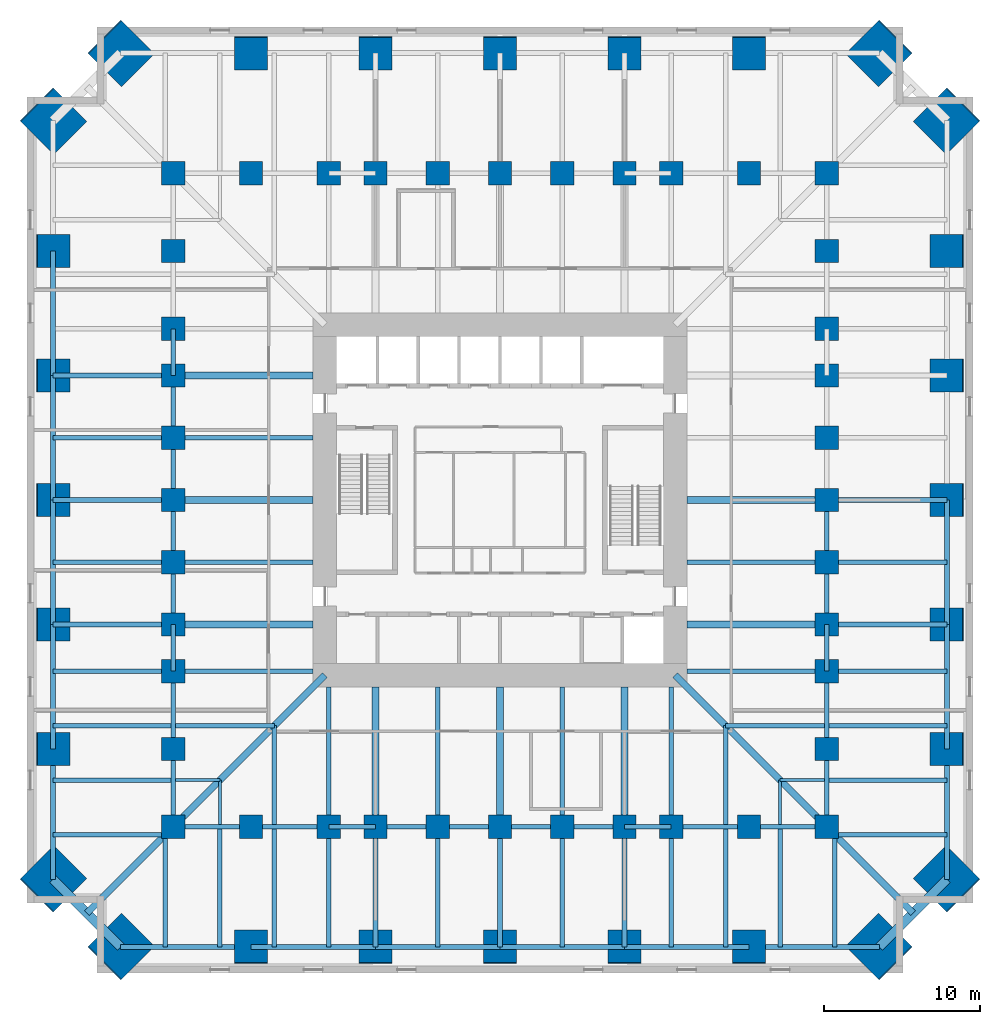
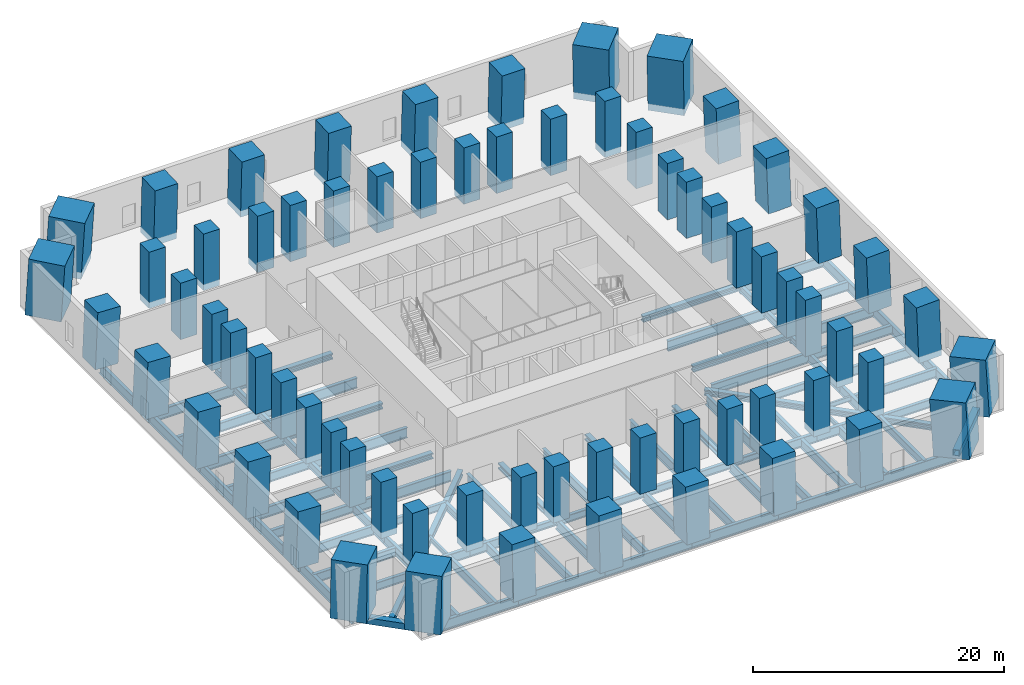
# One storey, part 1 of 8: 97 beams, 68 columns.
"""IFC4 building model written with IfcOpenShell, lengths in metres."""

import ifcopenshell
import ifcopenshell.guid

model = None  # the IFC model being written
_history = None  # IfcOwnerHistory: only IFC2X3 demands one
_inside = {}  # id of a spatial element -> (the spatial element, [elements in it])
_under = {}  # id of a project, library or spatial element -> (it, [spatial elements below it])
_declared = {}  # id of a project -> (the project, [libraries it declares])
_typed = {}  # id of a type object -> (the type object, [elements of that type])
_made_of = {}  # id of a material, layer set ... -> (it, [elements and type objects made of it])


def new_model(schema):
    """Start an empty IFC model of exactly this schema.

    Asked for "IFC4X3", IfcOpenShell would pick the latest addendum, in which some entities
    have other attributes; the version numbers below select the first issue.
    IFC2X3 requires an IfcOwnerHistory on every rooted entity: one is made here for all.
    """
    global model, _history
    if schema == "IFC4X3":
        model = ifcopenshell.file(schema_version=(4, 3, 0, 0))
    else:
        model = ifcopenshell.file(schema=schema)
    _inside.clear()
    _under.clear()
    _declared.clear()
    _typed.clear()
    _made_of.clear()
    _history = None
    if model.schema == "IFC2X3":
        org = make("IfcOrganization", Name="unknown")
        user = make(
            "IfcPersonAndOrganization",
            ThePerson=make("IfcPerson", FamilyName="unknown"),
            TheOrganization=org,
        )
        app = make(
            "IfcApplication",
            ApplicationDeveloper=org,
            Version="unknown",
            ApplicationFullName="unknown",
            ApplicationIdentifier="unknown",
        )
        _history = make(
            "IfcOwnerHistory",
            OwningUser=user,
            OwningApplication=app,
            ChangeAction="ADDED",
            CreationDate=0,
        )
    return model


def make(cls, **values):
    """One entity of the class cls with the attributes given. An attribute that is None is left unset."""
    return model.create_entity(
        cls, **{name: value for name, value in values.items() if value is not None}
    )


def rooted(cls, **values):
    """An entity with a GlobalId (a new one), such as an element, a storey or a relation."""
    return make(cls, GlobalId=ifcopenshell.guid.new(), OwnerHistory=_history, **values)


def si_unit(unit_type, name, prefix=None):
    """IfcSIUnit, for example si_unit("LENGTHUNIT", "METRE", prefix="MILLI")."""
    return make("IfcSIUnit", UnitType=unit_type, Prefix=prefix, Name=name)


def assignment(units):
    """IfcUnitAssignment: the units of a project."""
    return None if units is None else make("IfcUnitAssignment", Units=units)


def point(xyz):
    """IfcCartesianPoint."""
    return None if xyz is None else make("IfcCartesianPoint", Coordinates=xyz)


def direction(xyz):
    """IfcDirection."""
    return None if xyz is None else make("IfcDirection", DirectionRatios=xyz)


def frame(location, z_axis=None, x_axis=None):
    """IfcAxis2Placement3D, a coordinate frame: its origin and axes. An axis left out is left unset."""
    return make(
        "IfcAxis2Placement3D",
        Location=point(location),
        Axis=direction(z_axis),
        RefDirection=direction(x_axis),
    )


def frame_2d(location, x_axis=None):
    """IfcAxis2Placement2D, a coordinate frame in the plane: its origin and x axis."""
    return make(
        "IfcAxis2Placement2D", Location=point(location), RefDirection=direction(x_axis)
    )


def origin():
    """The frame at (0, 0, 0) with its axes left unset."""
    return frame((0.0, 0.0, 0.0))


def origin_2d():
    """The frame at (0, 0) in the plane with its x axis left unset."""
    return frame_2d((0.0, 0.0))


def place(relative_to, where):
    """IfcLocalPlacement: puts the frame where relative to a parent placement (None: the world)."""
    return make(
        "IfcLocalPlacement", PlacementRelTo=relative_to, RelativePlacement=where
    )


def context(
    kind, dimensions, precision=None, world=None, true_north=None, identifier=None
):
    """IfcGeometricRepresentationContext, for example the 3D "Model" context."""
    return make(
        "IfcGeometricRepresentationContext",
        ContextIdentifier=identifier,
        ContextType=kind,
        CoordinateSpaceDimension=dimensions,
        Precision=precision,
        WorldCoordinateSystem=world,
        TrueNorth=true_north,
    )


def subcontext(parent, identifier, kind, view, scale=None):
    """IfcGeometricRepresentationSubContext, for example "Body" below "Model"."""
    return make(
        "IfcGeometricRepresentationSubContext",
        ContextIdentifier=identifier,
        ContextType=kind,
        ParentContext=parent,
        TargetScale=scale,
        TargetView=view,
    )


def project(units=None, contexts=None):
    """IfcProject with its units and contexts."""
    return rooted(
        "IfcProject",
        Name="project",
        RepresentationContexts=contexts,
        UnitsInContext=assignment(units),
    )


def spatial(cls, under=None, at=None, **own):
    """A site, building, storey or space (cls), placed at a placement, below another one or the project."""
    s = rooted(cls, ObjectPlacement=at, **own)
    if under is not None:
        _under.setdefault(under.id(), (under, []))[1].append(s)
    return s


def profile(cls, at=None, kind="AREA", **sizes):
    """A parametric profile (cls). Its sizes go by their IFC names, for example OverallWidth=200.0."""
    return make(cls, ProfileType=kind, Position=at, **sizes)


def rectangle(**sizes):
    """IfcRectangleProfileDef."""
    return profile("IfcRectangleProfileDef", **sizes)


def hollow_rectangle(**sizes):
    """IfcRectangleHollowProfileDef."""
    return profile("IfcRectangleHollowProfileDef", **sizes)


def i_section(**sizes):
    """IfcIShapeProfileDef."""
    return profile("IfcIShapeProfileDef", **sizes)


def extrude(swept, where, along, depth):
    """IfcExtrudedAreaSolid: the profile swept, set in the frame where, extruded along a direction by depth."""
    return make(
        "IfcExtrudedAreaSolid",
        SweptArea=swept,
        Position=where,
        ExtrudedDirection=direction(along),
        Depth=depth,
    )


def shape(context_of_items, identifier, shape_type, items):
    """IfcShapeRepresentation: the items that make up one representation, for example the "Body"."""
    return make(
        "IfcShapeRepresentation",
        ContextOfItems=context_of_items,
        RepresentationIdentifier=identifier,
        RepresentationType=shape_type,
        Items=items,
    )


def material(Name=None, Category=None):
    """IfcMaterial."""
    return make("IfcMaterial", Name=Name, Category=Category)


def material_profile(
    of_material, cross_section, Name=None, Category=None, Priority=None
):
    """IfcMaterialProfile: a cross section and its material."""
    return make(
        "IfcMaterialProfile",
        Name=Name,
        Material=of_material,
        Profile=cross_section,
        Priority=Priority,
        Category=Category,
    )


def profile_set(profiles, Name=None, composite=None):
    """IfcMaterialProfileSet."""
    return make(
        "IfcMaterialProfileSet",
        Name=Name,
        MaterialProfiles=profiles,
        CompositeProfile=composite,
    )


def made_of(thing, what):
    """Note that an element or type object is made of a material, layer set ...; save() writes the relation."""
    if what is not None:
        _made_of.setdefault(what.id(), (what, []))[1].append(thing)
    return thing


def type_object(cls, material=None, **own):
    """A type object (cls), such as IfcWallType, which elements share."""
    return made_of(rooted(cls, **own), material)


def element(
    cls,
    number,
    at=None,
    inside=None,
    cuts=None,
    type_object=None,
    material=None,
    context=None,
    identifier="Body",
    shape_type=None,
    held_by="IfcProductDefinitionShape",
    body=None,
    shapes=None,
    **own,
):
    """One element of the class cls, such as IfcWall. Its Tag is "e" and its number.

    at: its placement. inside: the storey or other place that contains it. cuts: it is an
    opening in that element (IfcRelVoidsElement). A single representation is given by context,
    identifier, shape_type and body (its items); several are given by shapes. held_by: the class
    of the entity that holds the representations. save() writes the other relations.
    """
    e = rooted(cls, Tag="e%d" % number, ObjectPlacement=at, **own)
    if body is not None:
        shapes = [shape(context, identifier, shape_type, body)]
    if shapes is not None:
        e.Representation = make(held_by, Representations=shapes)
    if inside is not None:
        _inside.setdefault(inside.id(), (inside, []))[1].append(e)
    if cuts is not None:
        rooted(
            "IfcRelVoidsElement", RelatingBuildingElement=cuts, RelatedOpeningElement=e
        )
    if type_object is not None:
        _typed.setdefault(type_object.id(), (type_object, []))[1].append(e)
    return made_of(e, material)


def aggregate(whole, parts):
    """IfcRelAggregates: a whole, such as a stair, and the parts it consists of."""
    return rooted("IfcRelAggregates", RelatingObject=whole, RelatedObjects=parts)


def save(model, path):
    """Write the relations noted so far, then the file.

    IfcRelAggregates (storeys below a building ...), IfcRelContainedInSpatialStructure (elements
    in a storey), IfcRelDefinesByType, IfcRelAssociatesMaterial and IfcRelDeclares: one each for
    every whole, place, type object, material and project.
    """
    for whole, parts in _under.values():
        aggregate(whole, parts)
    for where, things in _inside.values():
        rooted(
            "IfcRelContainedInSpatialStructure",
            RelatedElements=things,
            RelatingStructure=where,
        )
    for kind, things in _typed.values():
        rooted("IfcRelDefinesByType", RelatedObjects=things, RelatingType=kind)
    for what, things in _made_of.values():
        rooted("IfcRelAssociatesMaterial", RelatedObjects=things, RelatingMaterial=what)
    for by, libraries in _declared.values():
        rooted("IfcRelDeclares", RelatingContext=by, RelatedDefinitions=libraries)
    model.write(path)


model = new_model("IFC4")

# Units and contexts
model_context = context("Model", 3, precision=1e-05, world=origin(), true_north=direction((0.0, 1.0)))
body_context = subcontext(model_context, "Body", "Model", "MODEL_VIEW")
ifc_project = project(units=[si_unit("LENGTHUNIT", "METRE"), si_unit("AREAUNIT", "SQUARE_METRE"), si_unit("VOLUMEUNIT", "CUBIC_METRE"), si_unit("PLANEANGLEUNIT", "RADIAN"), si_unit("MASSUNIT", "GRAM", prefix="KILO")], contexts=[model_context])

# Site, building, storey
site_placement = place(None, origin())
site = spatial("IfcSite", under=ifc_project, at=site_placement, CompositionType="ELEMENT")
building_placement = place(site_placement, origin())
building = spatial("IfcBuilding", under=site, at=building_placement, Name="Peilmerk Tower", CompositionType="ELEMENT")
storey_placement = place(building_placement, frame((0.0, 0.0, 54.0)))
storey = spatial("IfcBuildingStorey", under=building, at=storey_placement, Name="L10", CompositionType="ELEMENT", Elevation=54.0)

# Columns
ifc_material_1 = material(Name="Concrete C90/105", Category="concrete")
ifc_material_profile_1 = material_profile(ifc_material_1, rectangle(XDim=3.0, YDim=3.0, at=origin_2d()), Name="RC 3000x3000")
ifc_profile_set_1 = profile_set([ifc_material_profile_1], Name="Concrete C90/105")
column_type_1 = type_object("IfcColumnType", Name="MC1 3000x3000 encased mega column", PredefinedType="COLUMN", material=ifc_profile_set_1)
for number, where, z_axis, x_axis, name in (
    (1, (24.369384765625, 28.71923828125, 0.0), (-0.040284325109, -0.04024000792, 0.998377641433), (0.706717512472, -0.707495835723, 0.0), "Mega column MC1 NE_N L10"),
    (2, (28.71923828125, 24.369384765625, 0.0), (-0.04024000792, -0.040284325109, 0.998377641433), (0.707495835723, -0.706717512472, 0.0), "Mega column MC1 NE_E L10"),
    (3, (28.71923828125, -24.369384765625, 0.0), (-0.04024000792, 0.040284325109, 0.998377641433), (-0.707495835723, -0.706717512472, 0.0), "Mega column MC1 SE_E L10"),
    (4, (24.369384765625, -28.71923828125, 0.0), (-0.040284325109, 0.04024000792, 0.998377641433), (-0.706717512472, -0.707495835723, 0.0), "Mega column MC1 SE_S L10"),
    (5, (-24.369384765625, -28.71923828125, 0.0), (0.040284325109, 0.04024000792, 0.998377641433), (-0.706717512472, 0.707495835723, 0.0), "Mega column MC1 SW_S L10"),
    (6, (-28.71923828125, -24.369384765625, 0.0), (0.04024000792, 0.040284325109, 0.998377641433), (-0.707495835723, 0.706717512472, 0.0), "Mega column MC1 SW_W L10"),
    (7, (-28.71923828125, 24.369384765625, 0.0), (0.04024000792, -0.040284325109, 0.998377641433), (0.707495835723, 0.706717512472, 0.0), "Mega column MC1 NW_W L10"),
    (8, (-24.369384765625, 28.71923828125, 0.0), (0.040284325109, -0.04024000792, 0.998377641433), (0.706717512472, 0.707495835723, 0.0), "Mega column MC1 NW_N L10"),
):
    element("IfcColumn", number, at=place(storey_placement, frame(where, z_axis=z_axis, x_axis=x_axis)), inside=storey, type_object=column_type_1, Name=name, PredefinedType="COLUMN", context=body_context, shape_type="SweptSolid", body=[
        extrude(rectangle(XDim=3.0, YDim=3.0, at=origin_2d()), origin(), (0.0, 0.0, 1.0), 5.509033203125),
    ])
ifc_material_profile_2 = material_profile(ifc_material_1, rectangle(XDim=2.10009765625, YDim=2.10009765625, at=origin_2d()), Name="RC 2100x2100")
ifc_profile_set_2 = profile_set([ifc_material_profile_2], Name="Concrete C90/105")
column_type_2 = type_object("IfcColumnType", Name="SC3 2100x2100 encased perimeter column", PredefinedType="COLUMN", material=ifc_profile_set_2)
for number, where, z_axis, x_axis, name in (
    (9, (0.0, 28.71923828125, 0.0), (0.0, -0.040272698997, 0.999188725775), (1.0, 0.0, 0.0), "Perimeter column N+0 L10"),
    (10, (8.0, 28.71923828125, 0.0), (0.0, -0.040272698997, 0.999188725775), (1.0, 0.0, 0.0), "Perimeter column N-8 L10"),
    (11, (-8.0, 28.71923828125, 0.0), (0.0, -0.040272698997, 0.999188725775), (1.0, 0.0, 0.0), "Perimeter column N+8 L10"),
    (12, (16.0, 28.71923828125, 0.0), (0.0, -0.040272698997, 0.999188725775), (1.0, 0.0, 0.0), "Perimeter column N-16 L10"),
    (13, (-16.0, 28.71923828125, 0.0), (0.0, -0.040272698997, 0.999188725775), (1.0, 0.0, 0.0), "Perimeter column N+16 L10"),
    (14, (28.71923828125, 0.0, 0.0), (-0.040272698997, 0.0, 0.999188725775), (0.0, -1.0, 0.0), "Perimeter column E+0 L10"),
    (15, (28.71923828125, -8.0, 0.0), (-0.040272698997, 0.0, 0.999188725775), (0.0, -1.0, 0.0), "Perimeter column E-8 L10"),
    (16, (28.71923828125, 8.0, 0.0), (-0.040272698997, 0.0, 0.999188725775), (0.0, -1.0, 0.0), "Perimeter column E+8 L10"),
    (17, (28.71923828125, -16.0, 0.0), (-0.040272698997, 0.0, 0.999188725775), (0.0, -1.0, 0.0), "Perimeter column E-16 L10"),
    (18, (28.71923828125, 16.0, 0.0), (-0.040272698997, 0.0, 0.999188725775), (0.0, -1.0, 0.0), "Perimeter column E+16 L10"),
    (19, (0.0, -28.71923828125, 0.0), (0.0, 0.040272698997, 0.999188725775), (-1.0, 0.0, 0.0), "Perimeter column S+0 L10"),
    (20, (-8.0, -28.71923828125, 0.0), (0.0, 0.040272698997, 0.999188725775), (-1.0, 0.0, 0.0), "Perimeter column S-8 L10"),
    (21, (8.0, -28.71923828125, 0.0), (0.0, 0.040272698997, 0.999188725775), (-1.0, 0.0, 0.0), "Perimeter column S+8 L10"),
    (22, (-16.0, -28.71923828125, 0.0), (0.0, 0.040272698997, 0.999188725775), (-1.0, 0.0, 0.0), "Perimeter column S-16 L10"),
    (23, (16.0, -28.71923828125, 0.0), (0.0, 0.040272698997, 0.999188725775), (-1.0, 0.0, 0.0), "Perimeter column S+16 L10"),
    (24, (-28.71923828125, 0.0, 0.0), (0.040272698997, 0.0, 0.999188725775), (0.0, 1.0, 0.0), "Perimeter column W+0 L10"),
    (25, (-28.71923828125, 8.0, 0.0), (0.040272698997, 0.0, 0.999188725775), (0.0, 1.0, 0.0), "Perimeter column W-8 L10"),
    (26, (-28.71923828125, -8.0, 0.0), (0.040272698997, 0.0, 0.999188725775), (0.0, 1.0, 0.0), "Perimeter column W+8 L10"),
    (27, (-28.71923828125, 16.0, 0.0), (0.040272698997, 0.0, 0.999188725775), (0.0, 1.0, 0.0), "Perimeter column W-16 L10"),
    (28, (-28.71923828125, -16.0, 0.0), (0.040272698997, 0.0, 0.999188725775), (0.0, 1.0, 0.0), "Perimeter column W+16 L10"),
):
    element("IfcColumn", number, at=place(storey_placement, frame(where, z_axis=z_axis, x_axis=x_axis)), inside=storey, type_object=column_type_2, Name=name, PredefinedType="COLUMN", context=body_context, shape_type="SweptSolid", body=[
        extrude(rectangle(XDim=2.10009765625, YDim=2.10009765625, at=origin_2d()), origin(), (0.0, 0.0, 1.0), 5.50439453125),
    ])
ifc_material_profile_3 = material_profile(ifc_material_1, rectangle(XDim=1.5, YDim=1.5, at=origin_2d()), Name="RC 1500x1500")
ifc_profile_set_3 = profile_set([ifc_material_profile_3], Name="Concrete C90/105")
column_type_3 = type_object("IfcColumnType", Name="SC4 1500x1500 encased interior column", PredefinedType="COLUMN", material=ifc_profile_set_3)
for number, where, z_axis, x_axis, name in (
    (29, (0.0, 21.0, 0.0), (0.0, 0.0, 1.0), (1.0, 0.0, 0.0), "Interior column N+0 L10"),
    (30, (4.0, 21.0, 0.0), (0.0, 0.0, 1.0), (1.0, 0.0, 0.0), "Interior column N-4 L10"),
    (31, (-4.0, 21.0, 0.0), (0.0, 0.0, 1.0), (1.0, 0.0, 0.0), "Interior column N+4 L10"),
    (32, (8.0, 21.0, 0.0), (0.0, 0.0, 1.0), (1.0, 0.0, 0.0), "Interior column N-8 L10"),
    (33, (-8.0, 21.0, 0.0), (0.0, 0.0, 1.0), (1.0, 0.0, 0.0), "Interior column N+8 L10"),
    (34, (11.0, 21.0, 0.0), (0.0, 0.0, 1.0), (1.0, 0.0, 0.0), "Interior column N-11 L10"),
    (35, (-11.0, 21.0, 0.0), (0.0, 0.0, 1.0), (1.0, 0.0, 0.0), "Interior column N+11 L10"),
    (36, (16.0, 21.0, 0.0), (0.0, 0.0, 1.0), (1.0, 0.0, 0.0), "Interior column N-16 L10"),
    (37, (-16.0, 21.0, 0.0), (0.0, 0.0, 1.0), (1.0, 0.0, 0.0), "Interior column N+16 L10"),
    (38, (21.0, 0.0, 0.0), (0.0, 0.0, 1.0), (1.0, 0.0, 0.0), "Interior column E+0 L10"),
    (39, (21.0, -4.0, 0.0), (0.0, 0.0, 1.0), (1.0, 0.0, 0.0), "Interior column E-4 L10"),
    (40, (21.0, 4.0, 0.0), (0.0, 0.0, 1.0), (1.0, 0.0, 0.0), "Interior column E+4 L10"),
    (41, (21.0, -8.0, 0.0), (0.0, 0.0, 1.0), (1.0, 0.0, 0.0), "Interior column E-8 L10"),
    (42, (21.0, 8.0, 0.0), (0.0, 0.0, 1.0), (1.0, 0.0, 0.0), "Interior column E+8 L10"),
    (43, (21.0, -11.0, 0.0), (0.0, 0.0, 1.0), (1.0, 0.0, 0.0), "Interior column E-11 L10"),
    (44, (21.0, 11.0, 0.0), (0.0, 0.0, 1.0), (1.0, 0.0, 0.0), "Interior column E+11 L10"),
    (45, (21.0, -16.0, 0.0), (0.0, 0.0, 1.0), (1.0, 0.0, 0.0), "Interior column E-16 L10"),
    (46, (21.0, 16.0, 0.0), (0.0, 0.0, 1.0), (1.0, 0.0, 0.0), "Interior column E+16 L10"),
    (47, (0.0, -21.0, 0.0), (0.0, 0.0, 1.0), (1.0, 0.0, 0.0), "Interior column S+0 L10"),
    (48, (-4.0, -21.0, 0.0), (0.0, 0.0, 1.0), (1.0, 0.0, 0.0), "Interior column S-4 L10"),
    (49, (4.0, -21.0, 0.0), (0.0, 0.0, 1.0), (1.0, 0.0, 0.0), "Interior column S+4 L10"),
    (50, (-8.0, -21.0, 0.0), (0.0, 0.0, 1.0), (1.0, 0.0, 0.0), "Interior column S-8 L10"),
    (51, (8.0, -21.0, 0.0), (0.0, 0.0, 1.0), (1.0, 0.0, 0.0), "Interior column S+8 L10"),
    (52, (-11.0, -21.0, 0.0), (0.0, 0.0, 1.0), (1.0, 0.0, 0.0), "Interior column S-11 L10"),
    (53, (11.0, -21.0, 0.0), (0.0, 0.0, 1.0), (1.0, 0.0, 0.0), "Interior column S+11 L10"),
    (54, (-16.0, -21.0, 0.0), (0.0, 0.0, 1.0), (1.0, 0.0, 0.0), "Interior column S-16 L10"),
    (55, (16.0, -21.0, 0.0), (0.0, 0.0, 1.0), (1.0, 0.0, 0.0), "Interior column S+16 L10"),
    (56, (-21.0, 0.0, 0.0), (0.0, 0.0, 1.0), (1.0, 0.0, 0.0), "Interior column W+0 L10"),
    (57, (-21.0, 4.0, 0.0), (0.0, 0.0, 1.0), (1.0, 0.0, 0.0), "Interior column W-4 L10"),
    (58, (-21.0, -4.0, 0.0), (0.0, 0.0, 1.0), (1.0, 0.0, 0.0), "Interior column W+4 L10"),
    (59, (-21.0, 8.0, 0.0), (0.0, 0.0, 1.0), (1.0, 0.0, 0.0), "Interior column W-8 L10"),
    (60, (-21.0, -8.0, 0.0), (0.0, 0.0, 1.0), (1.0, 0.0, 0.0), "Interior column W+8 L10"),
    (61, (-21.0, 11.0, 0.0), (0.0, 0.0, 1.0), (1.0, 0.0, 0.0), "Interior column W-11 L10"),
    (62, (-21.0, -11.0, 0.0), (0.0, 0.0, 1.0), (1.0, 0.0, 0.0), "Interior column W+11 L10"),
    (63, (-21.0, 16.0, 0.0), (0.0, 0.0, 1.0), (1.0, 0.0, 0.0), "Interior column W-16 L10"),
    (64, (-21.0, -16.0, 0.0), (0.0, 0.0, 1.0), (1.0, 0.0, 0.0), "Interior column W+16 L10"),
    (65, (21.0, 21.0, 0.0), (0.0, 0.0, 1.0), (1.0, 0.0, 0.0), "Interior column NE L10"),
    (66, (21.0, -21.0, 0.0), (0.0, 0.0, 1.0), (1.0, 0.0, 0.0), "Interior column SE L10"),
    (67, (-21.0, -21.0, 0.0), (0.0, 0.0, 1.0), (1.0, 0.0, 0.0), "Interior column SW L10"),
    (68, (-21.0, 21.0, 0.0), (0.0, 0.0, 1.0), (1.0, 0.0, 0.0), "Interior column NW L10"),
):
    element("IfcColumn", number, at=place(storey_placement, frame(where, z_axis=z_axis, x_axis=x_axis)), inside=storey, type_object=column_type_3, Name=name, PredefinedType="COLUMN", context=body_context, shape_type="SweptSolid", body=[
        extrude(rectangle(XDim=1.5, YDim=1.5, at=origin_2d()), origin(), (0.0, 0.0, 1.0), 5.5),
    ])

# Beams
ifc_material_2 = material(Name="Steel S355", Category="steel")
ifc_material_profile_4 = material_profile(ifc_material_2, i_section(OverallWidth=0.302001953125, OverallDepth=1.008056640625, WebThickness=0.02099609375, FlangeThickness=0.0400390625, at=origin_2d()), Name="HEM 1000")
ifc_profile_set_4 = profile_set([ifc_material_profile_4], Name="Steel S355")
beam_type_1 = type_object("IfcBeamType", Name="B1 HEM 1000 edge beam", PredefinedType="SPANDREL", material=ifc_profile_set_4)
for number, where, z_axis, x_axis, name in (
    (69, (28.71923828125, -24.369384765625, -0.7041015625), (0.0, 1.0, 0.0), (-1.0, 0.0, 0.0), "Edge beam L10"),
    (70, (-24.369384765625, -28.71923828125, -0.7041015625), (1.0, 0.0, 0.0), (0.0, 1.0, 0.0), "Edge beam L10"),
    (71, (16.0, -28.71923828125, -0.7041015625), (1.0, 0.0, 0.0), (0.0, 1.0, 0.0), "Edge beam L10"),
    (72, (-28.71923828125, -16.0, -0.7041015625), (0.0, -1.0, 0.0), (1.0, 0.0, 0.0), "Edge beam L10"),
):
    element("IfcBeam", number, at=place(storey_placement, frame(where, z_axis=z_axis, x_axis=x_axis)), inside=storey, type_object=beam_type_1, Name=name, PredefinedType="SPANDREL", context=body_context, shape_type="SweptSolid", body=[
        extrude(i_section(OverallWidth=0.302001953125, OverallDepth=1.008056640625, WebThickness=0.02099609375, FlangeThickness=0.0400390625, at=origin_2d()), origin(), (0.0, 0.0, 1.0), 8.369384765625),
    ])
ifc_material_profile_5 = material_profile(ifc_material_2, i_section(OverallWidth=0.300048828125, OverallDepth=1.0, WebThickness=0.01904296875, FlangeThickness=0.035888671875, at=origin_2d()), Name="HEB 1000")
ifc_profile_set_5 = profile_set([ifc_material_profile_5], Name="Steel S355")
beam_type_2 = type_object("IfcBeamType", Name="B13 HEB 1000 edge beam", PredefinedType="SPANDREL", material=ifc_profile_set_5)
for number, where, z_axis, x_axis, name in (
    (73, (28.71923828125, -16.0, -0.699951171875), (0.0, 1.0, 0.0), (-1.0, 0.0, 0.0), "Edge beam L10"),
    (74, (28.71923828125, -8.0, -0.699951171875), (0.0, 1.0, 0.0), (-1.0, 0.0, 0.0), "Edge beam L10"),
    (75, (-16.0, -28.71923828125, -0.699951171875), (1.0, 0.0, 0.0), (0.0, 1.0, 0.0), "Edge beam L10"),
    (76, (-8.0, -28.71923828125, -0.699951171875), (1.0, 0.0, 0.0), (0.0, 1.0, 0.0), "Edge beam L10"),
    (77, (0.0, -28.71923828125, -0.699951171875), (1.0, 0.0, 0.0), (0.0, 1.0, 0.0), "Edge beam L10"),
    (78, (8.0, -28.71923828125, -0.699951171875), (1.0, 0.0, 0.0), (0.0, 1.0, 0.0), "Edge beam L10"),
    (79, (-28.71923828125, 16.0, -0.699951171875), (0.0, -1.0, 0.0), (1.0, 0.0, 0.0), "Edge beam L10"),
    (80, (-28.71923828125, 8.0, -0.699951171875), (0.0, -1.0, 0.0), (1.0, 0.0, 0.0), "Edge beam L10"),
    (81, (-28.71923828125, 0.0, -0.699951171875), (0.0, -1.0, 0.0), (1.0, 0.0, 0.0), "Edge beam L10"),
    (82, (-28.71923828125, -8.0, -0.699951171875), (0.0, -1.0, 0.0), (1.0, 0.0, 0.0), "Edge beam L10"),
):
    element("IfcBeam", number, at=place(storey_placement, frame(where, z_axis=z_axis, x_axis=x_axis)), inside=storey, type_object=beam_type_2, Name=name, PredefinedType="SPANDREL", context=body_context, shape_type="SweptSolid", body=[
        extrude(i_section(OverallWidth=0.300048828125, OverallDepth=1.0, WebThickness=0.01904296875, FlangeThickness=0.035888671875, at=origin_2d()), origin(), (0.0, 0.0, 1.0), 8.0),
    ])
ifc_material_profile_6 = material_profile(ifc_material_2, i_section(OverallWidth=0.300048828125, OverallDepth=0.68994140625, WebThickness=0.014404296875, FlangeThickness=0.027099609375, at=origin_2d()), Name="HEA 700")
ifc_profile_set_6 = profile_set([ifc_material_profile_6], Name="Steel S355")
beam_type_3 = type_object("IfcBeamType", Name="B16 HEA 700 floor beam", PredefinedType="BEAM", material=ifc_profile_set_6)
for number, where, z_axis, x_axis, name in (
    (83, (14.5, -14.5, -0.544921875), (0.0, -1.0, 0.0), (1.0, 0.0, 0.0), "Floor beam L10"),
    (84, (14.5, -14.5, -0.544921875), (1.0, 0.0, 0.0), (0.0, 1.0, 0.0), "Floor beam L10"),
    (85, (-14.5, -14.5, -0.544921875), (0.0, -1.0, 0.0), (1.0, 0.0, 0.0), "Floor beam L10"),
    (86, (-14.5, -14.5, -0.544921875), (-1.0, 0.0, 0.0), (0.0, -1.0, 0.0), "Floor beam L10"),
):
    element("IfcBeam", number, at=place(storey_placement, frame(where, z_axis=z_axis, x_axis=x_axis)), inside=storey, type_object=beam_type_3, Name=name, PredefinedType="BEAM", context=body_context, shape_type="SweptSolid", body=[
        extrude(i_section(OverallWidth=0.300048828125, OverallDepth=0.68994140625, WebThickness=0.014404296875, FlangeThickness=0.027099609375, at=origin_2d()), origin(), (0.0, 0.0, 1.0), 6.34912109375),
    ])
ifc_material_profile_7 = material_profile(ifc_material_2, i_section(OverallWidth=0.302001953125, OverallDepth=0.909912109375, WebThickness=0.02099609375, FlangeThickness=0.0400390625, at=origin_2d()), Name="HEM 900")
ifc_profile_set_7 = profile_set([ifc_material_profile_7], Name="Steel S355")
beam_type_4 = type_object("IfcBeamType", Name="B18 HEM 900 ring girder", PredefinedType="BEAM", material=ifc_profile_set_7)
for number, where, z_axis, x_axis, name in (
    (87, (21.0, -21.0, -0.655029296875), (0.0, 1.0, 0.0), (-1.0, 0.0, 0.0), "Ring girder L10"),
    (88, (21.0, -16.0, -0.655029296875), (0.0, 1.0, 0.0), (-1.0, 0.0, 0.0), "Ring girder L10"),
    (89, (-21.0, -21.0, -0.655029296875), (1.0, 0.0, 0.0), (0.0, 1.0, 0.0), "Ring girder L10"),
    (90, (-16.0, -21.0, -0.655029296875), (1.0, 0.0, 0.0), (0.0, 1.0, 0.0), "Ring girder L10"),
    (91, (11.0, -21.0, -0.655029296875), (1.0, 0.0, 0.0), (0.0, 1.0, 0.0), "Ring girder L10"),
    (92, (16.0, -21.0, -0.655029296875), (1.0, 0.0, 0.0), (0.0, 1.0, 0.0), "Ring girder L10"),
    (93, (-21.0, -11.0, -0.655029296875), (0.0, -1.0, 0.0), (1.0, 0.0, 0.0), "Ring girder L10"),
    (94, (-21.0, -16.0, -0.655029296875), (0.0, -1.0, 0.0), (1.0, 0.0, 0.0), "Ring girder L10"),
):
    element("IfcBeam", number, at=place(storey_placement, frame(where, z_axis=z_axis, x_axis=x_axis)), inside=storey, type_object=beam_type_4, Name=name, PredefinedType="BEAM", context=body_context, shape_type="SweptSolid", body=[
        extrude(i_section(OverallWidth=0.302001953125, OverallDepth=0.909912109375, WebThickness=0.02099609375, FlangeThickness=0.0400390625, at=origin_2d()), origin(), (0.0, 0.0, 1.0), 5.0),
    ])
ifc_material_profile_8 = material_profile(ifc_material_2, i_section(OverallWidth=0.303955078125, OverallDepth=0.716064453125, WebThickness=0.02099609375, FlangeThickness=0.0400390625, at=origin_2d()), Name="HEM 700")
ifc_profile_set_8 = profile_set([ifc_material_profile_8], Name="Steel S355")
beam_type_5 = type_object("IfcBeamType", Name="B19 HEM 700 ring girder", PredefinedType="BEAM", material=ifc_profile_set_8)
for number, where, z_axis, x_axis, name in (
    (95, (21.0, -8.0, -0.55810546875), (0.0, 1.0, 0.0), (-1.0, 0.0, 0.0), "Ring girder L10"),
    (96, (21.0, -4.0, -0.55810546875), (0.0, 1.0, 0.0), (-1.0, 0.0, 0.0), "Ring girder L10"),
    (97, (-8.0, -21.0, -0.55810546875), (1.0, 0.0, 0.0), (0.0, 1.0, 0.0), "Ring girder L10"),
    (98, (-4.0, -21.0, -0.55810546875), (1.0, 0.0, 0.0), (0.0, 1.0, 0.0), "Ring girder L10"),
    (99, (0.0, -21.0, -0.55810546875), (1.0, 0.0, 0.0), (0.0, 1.0, 0.0), "Ring girder L10"),
    (100, (4.0, -21.0, -0.55810546875), (1.0, 0.0, 0.0), (0.0, 1.0, 0.0), "Ring girder L10"),
    (101, (-21.0, 8.0, -0.55810546875), (0.0, -1.0, 0.0), (1.0, 0.0, 0.0), "Ring girder L10"),
    (102, (-21.0, 4.0, -0.55810546875), (0.0, -1.0, 0.0), (1.0, 0.0, 0.0), "Ring girder L10"),
    (103, (-21.0, 0.0, -0.55810546875), (0.0, -1.0, 0.0), (1.0, 0.0, 0.0), "Ring girder L10"),
    (104, (-21.0, -4.0, -0.55810546875), (0.0, -1.0, 0.0), (1.0, 0.0, 0.0), "Ring girder L10"),
):
    element("IfcBeam", number, at=place(storey_placement, frame(where, z_axis=z_axis, x_axis=x_axis)), inside=storey, type_object=beam_type_5, Name=name, PredefinedType="BEAM", context=body_context, shape_type="SweptSolid", body=[
        extrude(i_section(OverallWidth=0.303955078125, OverallDepth=0.716064453125, WebThickness=0.02099609375, FlangeThickness=0.0400390625, at=origin_2d()), origin(), (0.0, 0.0, 1.0), 4.0),
    ])
ifc_material_3 = material(Name="Steel S460", Category="steel")
ifc_material_profile_9 = material_profile(ifc_material_3, hollow_rectangle(XDim=0.60009765625, YDim=0.60009765625, WallThickness=0.06005859375, at=origin_2d()), Name="BOX 600x600x60")
ifc_profile_set_9 = profile_set([ifc_material_profile_9], Name="Steel S460")
beam_type_6 = type_object("IfcBeamType", Name="B20 BOX 600x600x60 notch beam", PredefinedType="SPANDREL", material=ifc_profile_set_9)
for number, where, z_axis, x_axis, name in (
    (105, (28.71923828125, -24.369384765625, -0.5), (-0.707106781187, -0.707106781187, 0.0), (0.707106781187, -0.707106781187, 0.0), "Notch beam L10"),
    (106, (-24.369384765625, -28.71923828125, -0.5), (-0.707106781187, 0.707106781187, 0.0), (-0.707106781187, -0.707106781187, 0.0), "Notch beam L10"),
):
    element("IfcBeam", number, at=place(storey_placement, frame(where, z_axis=z_axis, x_axis=x_axis)), inside=storey, type_object=beam_type_6, Name=name, PredefinedType="SPANDREL", context=body_context, shape_type="SweptSolid", body=[
        extrude(hollow_rectangle(XDim=0.60009765625, YDim=0.60009765625, WallThickness=0.06005859375, at=origin_2d()), origin(), (0.0, 0.0, 1.0), 6.151611328125),
    ])
ifc_material_profile_10 = material_profile(ifc_material_2, i_section(OverallWidth=0.18994140625, OverallDepth=0.449951171875, WebThickness=0.009521484375, FlangeThickness=0.0146484375, at=origin_2d()), Name="IPE 450")
ifc_profile_set_10 = profile_set([ifc_material_profile_10], Name="Steel S355")
beam_type_7 = type_object("IfcBeamType", Name="B21 IPE 450 floor beam", PredefinedType="BEAM", material=ifc_profile_set_10)
for number, where, z_axis, x_axis, name in (
    (107, (18.0, -18.0, -0.425048828125), (0.0, -1.0, 0.0), (1.0, 0.0, 0.0), "Floor beam L10"),
    (108, (18.0, -18.0, -0.425048828125), (1.0, 0.0, 0.0), (0.0, 1.0, 0.0), "Floor beam L10"),
    (109, (-18.0, -18.0, -0.425048828125), (0.0, -1.0, 0.0), (1.0, 0.0, 0.0), "Floor beam L10"),
    (110, (-18.0, -18.0, -0.425048828125), (-1.0, 0.0, 0.0), (0.0, -1.0, 0.0), "Floor beam L10"),
):
    element("IfcBeam", number, at=place(storey_placement, frame(where, z_axis=z_axis, x_axis=x_axis)), inside=storey, type_object=beam_type_7, Name=name, PredefinedType="BEAM", context=body_context, shape_type="SweptSolid", body=[
        extrude(i_section(OverallWidth=0.18994140625, OverallDepth=0.449951171875, WebThickness=0.009521484375, FlangeThickness=0.0146484375, at=origin_2d()), origin(), (0.0, 0.0, 1.0), 2.84912109375),
    ])
ifc_material_profile_11 = material_profile(ifc_material_2, i_section(OverallWidth=0.302001953125, OverallDepth=1.008056640625, WebThickness=0.02099609375, FlangeThickness=0.0400390625, at=origin_2d()), Name="HEM 1000")
ifc_profile_set_11 = profile_set([ifc_material_profile_11], Name="Steel S355")
beam_type_8 = type_object("IfcBeamType", Name="B24 HEM 1000 floor girder", PredefinedType="BEAM", material=ifc_profile_set_11)
for number, where, z_axis, x_axis, name in (
    (111, (21.0, -8.0, -0.7041015625), (1.0, 0.0, 0.0), (0.0, 1.0, 0.0), "Floor girder L10"),
    (112, (21.0, 0.0, -0.7041015625), (1.0, 0.0, 0.0), (0.0, 1.0, 0.0), "Floor girder L10"),
    (113, (-8.0, -21.0, -0.7041015625), (0.0, -1.0, 0.0), (1.0, 0.0, 0.0), "Floor girder L10"),
    (114, (0.0, -21.0, -0.7041015625), (0.0, -1.0, 0.0), (1.0, 0.0, 0.0), "Floor girder L10"),
    (115, (8.0, -21.0, -0.7041015625), (0.0, -1.0, 0.0), (1.0, 0.0, 0.0), "Floor girder L10"),
    (116, (-21.0, 8.0, -0.7041015625), (-1.0, 0.0, 0.0), (0.0, -1.0, 0.0), "Floor girder L10"),
    (117, (-21.0, 0.0, -0.7041015625), (-1.0, 0.0, 0.0), (0.0, -1.0, 0.0), "Floor girder L10"),
    (118, (-21.0, -8.0, -0.7041015625), (-1.0, 0.0, 0.0), (0.0, -1.0, 0.0), "Floor girder L10"),
):
    element("IfcBeam", number, at=place(storey_placement, frame(where, z_axis=z_axis, x_axis=x_axis)), inside=storey, type_object=beam_type_8, Name=name, PredefinedType="BEAM", context=body_context, shape_type="SweptSolid", body=[
        extrude(i_section(OverallWidth=0.302001953125, OverallDepth=1.008056640625, WebThickness=0.02099609375, FlangeThickness=0.0400390625, at=origin_2d()), origin(), (0.0, 0.0, 1.0), 7.71923828125),
    ])
ifc_material_profile_12 = material_profile(ifc_material_2, i_section(OverallWidth=0.300048828125, OverallDepth=0.7900390625, WebThickness=0.014892578125, FlangeThickness=0.028076171875, at=origin_2d()), Name="HEA 800")
ifc_profile_set_12 = profile_set([ifc_material_profile_12], Name="Steel S355")
beam_type_9 = type_object("IfcBeamType", Name="B3 HEA 800 floor beam", PredefinedType="BEAM", material=ifc_profile_set_12)
for number, where, z_axis, x_axis, name in (
    (119, (21.5, -21.5, -0.594970703125), (0.0, -1.0, 0.0), (1.0, 0.0, 0.0), "Floor beam L10"),
    (120, (21.5, -21.5, -0.594970703125), (1.0, 0.0, 0.0), (0.0, 1.0, 0.0), "Floor beam L10"),
    (121, (-21.5, -21.5, -0.594970703125), (0.0, -1.0, 0.0), (1.0, 0.0, 0.0), "Floor beam L10"),
    (122, (-21.5, -21.5, -0.594970703125), (-1.0, 0.0, 0.0), (0.0, -1.0, 0.0), "Floor beam L10"),
):
    element("IfcBeam", number, at=place(storey_placement, frame(where, z_axis=z_axis, x_axis=x_axis)), inside=storey, type_object=beam_type_9, Name=name, PredefinedType="BEAM", context=body_context, shape_type="SweptSolid", body=[
        extrude(i_section(OverallWidth=0.300048828125, OverallDepth=0.7900390625, WebThickness=0.014892578125, FlangeThickness=0.028076171875, at=origin_2d()), origin(), (0.0, 0.0, 1.0), 7.21923828125),
    ])
ifc_material_profile_13 = material_profile(ifc_material_2, i_section(OverallWidth=0.300048828125, OverallDepth=0.889892578125, WebThickness=0.01611328125, FlangeThickness=0.030029296875, at=origin_2d()), Name="HEA 900")
ifc_profile_set_13 = profile_set([ifc_material_profile_13], Name="Steel S355")
beam_type_10 = type_object("IfcBeamType", Name="B4 HEA 900 floor beam", PredefinedType="BEAM", material=ifc_profile_set_13)
for number, where, z_axis, x_axis, name in (
    (123, (21.0, -11.0, -0.64501953125), (1.0, 0.0, 0.0), (0.0, 1.0, 0.0), "Floor beam L10"),
    (124, (21.0, -4.0, -0.64501953125), (1.0, 0.0, 0.0), (0.0, 1.0, 0.0), "Floor beam L10"),
    (125, (-11.0, -21.0, -0.64501953125), (0.0, -1.0, 0.0), (1.0, 0.0, 0.0), "Floor beam L10"),
    (126, (-4.0, -21.0, -0.64501953125), (0.0, -1.0, 0.0), (1.0, 0.0, 0.0), "Floor beam L10"),
    (127, (4.0, -21.0, -0.64501953125), (0.0, -1.0, 0.0), (1.0, 0.0, 0.0), "Floor beam L10"),
    (128, (11.0, -21.0, -0.64501953125), (0.0, -1.0, 0.0), (1.0, 0.0, 0.0), "Floor beam L10"),
    (129, (-21.0, 4.0, -0.64501953125), (-1.0, 0.0, 0.0), (0.0, -1.0, 0.0), "Floor beam L10"),
    (130, (-21.0, -4.0, -0.64501953125), (-1.0, 0.0, 0.0), (0.0, -1.0, 0.0), "Floor beam L10"),
    (131, (-21.0, -11.0, -0.64501953125), (-1.0, 0.0, 0.0), (0.0, -1.0, 0.0), "Floor beam L10"),
):
    element("IfcBeam", number, at=place(storey_placement, frame(where, z_axis=z_axis, x_axis=x_axis)), inside=storey, type_object=beam_type_10, Name=name, PredefinedType="BEAM", context=body_context, shape_type="SweptSolid", body=[
        extrude(i_section(OverallWidth=0.300048828125, OverallDepth=0.889892578125, WebThickness=0.01611328125, FlangeThickness=0.030029296875, at=origin_2d()), origin(), (0.0, 0.0, 1.0), 7.71923828125),
    ])
for number, where, z_axis, x_axis, name in (
    (132, (14.5, -21.15087890625, -0.64501953125), (0.0, -1.0, 0.0), (1.0, 0.0, 0.0), "Floor beam L10"),
    (133, (21.15087890625, -14.5, -0.64501953125), (1.0, 0.0, 0.0), (0.0, 1.0, 0.0), "Floor beam L10"),
    (134, (18.0, -21.15087890625, -0.64501953125), (0.0, -1.0, 0.0), (1.0, 0.0, 0.0), "Floor beam L10"),
    (135, (21.15087890625, -18.0, -0.64501953125), (1.0, 0.0, 0.0), (0.0, 1.0, 0.0), "Floor beam L10"),
    (136, (-14.5, -21.15087890625, -0.64501953125), (0.0, -1.0, 0.0), (1.0, 0.0, 0.0), "Floor beam L10"),
    (137, (-21.15087890625, -14.5, -0.64501953125), (-1.0, 0.0, 0.0), (0.0, -1.0, 0.0), "Floor beam L10"),
    (138, (-18.0, -21.15087890625, -0.64501953125), (0.0, -1.0, 0.0), (1.0, 0.0, 0.0), "Floor beam L10"),
    (139, (-21.15087890625, -18.0, -0.64501953125), (-1.0, 0.0, 0.0), (0.0, -1.0, 0.0), "Floor beam L10"),
):
    element("IfcBeam", number, at=place(storey_placement, frame(where, z_axis=z_axis, x_axis=x_axis)), inside=storey, type_object=beam_type_10, Name=name, PredefinedType="BEAM", context=body_context, shape_type="SweptSolid", body=[
        extrude(i_section(OverallWidth=0.300048828125, OverallDepth=0.889892578125, WebThickness=0.01611328125, FlangeThickness=0.030029296875, at=origin_2d()), origin(), (0.0, 0.0, 1.0), 7.568359375),
    ])
ifc_material_profile_14 = material_profile(ifc_material_2, i_section(OverallWidth=0.300048828125, OverallDepth=1.0, WebThickness=0.01904296875, FlangeThickness=0.035888671875, at=origin_2d()), Name="HEB 1000")
ifc_profile_set_14 = profile_set([ifc_material_profile_14], Name="Steel S355")
beam_type_11 = type_object("IfcBeamType", Name="B5 HEB 1000 floor girder", PredefinedType="BEAM", material=ifc_profile_set_14)
for number, where, z_axis, x_axis, name in (
    (140, (12.0, -11.0, -0.699951171875), (1.0, 0.0, 0.0), (0.0, 1.0, 0.0), "Floor beam L10"),
    (141, (12.0, -4.0, -0.699951171875), (1.0, 0.0, 0.0), (0.0, 1.0, 0.0), "Floor beam L10"),
    (142, (-11.0, -12.0, -0.699951171875), (0.0, -1.0, 0.0), (1.0, 0.0, 0.0), "Floor beam L10"),
    (143, (-4.0, -12.0, -0.699951171875), (0.0, -1.0, 0.0), (1.0, 0.0, 0.0), "Floor beam L10"),
    (144, (4.0, -12.0, -0.699951171875), (0.0, -1.0, 0.0), (1.0, 0.0, 0.0), "Floor beam L10"),
    (145, (11.0, -12.0, -0.699951171875), (0.0, -1.0, 0.0), (1.0, 0.0, 0.0), "Floor beam L10"),
    (146, (-12.0, 4.0, -0.699951171875), (-1.0, 0.0, 0.0), (0.0, -1.0, 0.0), "Floor beam L10"),
    (147, (-12.0, -4.0, -0.699951171875), (-1.0, 0.0, 0.0), (0.0, -1.0, 0.0), "Floor beam L10"),
    (148, (-12.0, -11.0, -0.699951171875), (-1.0, 0.0, 0.0), (0.0, -1.0, 0.0), "Floor beam L10"),
):
    element("IfcBeam", number, at=place(storey_placement, frame(where, z_axis=z_axis, x_axis=x_axis)), inside=storey, type_object=beam_type_11, Name=name, PredefinedType="BEAM", context=body_context, shape_type="SweptSolid", body=[
        extrude(i_section(OverallWidth=0.300048828125, OverallDepth=1.0, WebThickness=0.01904296875, FlangeThickness=0.035888671875, at=origin_2d()), origin(), (0.0, 0.0, 1.0), 9.0),
    ])
ifc_material_profile_15 = material_profile(ifc_material_2, i_section(OverallWidth=0.304931640625, OverallDepth=0.6201171875, WebThickness=0.02099609375, FlangeThickness=0.0400390625, at=origin_2d()), Name="HEM 600")
ifc_profile_set_15 = profile_set([ifc_material_profile_15], Name="Steel S355")
beam_type_12 = type_object("IfcBeamType", Name="B6 HEM 600 ring girder", PredefinedType="BEAM", material=ifc_profile_set_15)
for number, where, z_axis, x_axis, name in (
    (149, (21.0, -11.0, -0.510009765625), (0.0, 1.0, 0.0), (-1.0, 0.0, 0.0), "Ring girder L10"),
    (150, (-11.0, -21.0, -0.510009765625), (1.0, 0.0, 0.0), (0.0, 1.0, 0.0), "Ring girder L10"),
    (151, (8.0, -21.0, -0.510009765625), (1.0, 0.0, 0.0), (0.0, 1.0, 0.0), "Ring girder L10"),
    (152, (-21.0, 11.0, -0.510009765625), (0.0, -1.0, 0.0), (1.0, 0.0, 0.0), "Ring girder L10"),
    (153, (-21.0, -8.0, -0.510009765625), (0.0, -1.0, 0.0), (1.0, 0.0, 0.0), "Ring girder L10"),
):
    element("IfcBeam", number, at=place(storey_placement, frame(where, z_axis=z_axis, x_axis=x_axis)), inside=storey, type_object=beam_type_12, Name=name, PredefinedType="BEAM", context=body_context, shape_type="SweptSolid", body=[
        extrude(i_section(OverallWidth=0.304931640625, OverallDepth=0.6201171875, WebThickness=0.02099609375, FlangeThickness=0.0400390625, at=origin_2d()), origin(), (0.0, 0.0, 1.0), 3.0),
    ])
ifc_material_profile_16 = material_profile(ifc_material_3, i_section(OverallWidth=0.4541015625, OverallDepth=0.569091796875, WebThickness=0.077880859375, FlangeThickness=0.125, at=origin_2d()), Name="HD 400x1086")
ifc_profile_set_16 = profile_set([ifc_material_profile_16], Name="Steel S460")
beam_type_13 = type_object("IfcBeamType", Name="B9 HD 400x1086 corner girder", PredefinedType="BEAM", material=ifc_profile_set_16)
for number, where, z_axis, x_axis, name in (
    (154, (12.0, -8.0, -0.484619140625), (1.0, 0.0, 0.0), (0.0, 1.0, 0.0), "Floor girder L10"),
    (155, (12.0, 0.0, -0.484619140625), (1.0, 0.0, 0.0), (0.0, 1.0, 0.0), "Floor girder L10"),
    (156, (-8.0, -12.0, -0.484619140625), (0.0, -1.0, 0.0), (1.0, 0.0, 0.0), "Floor girder L10"),
    (157, (0.0, -12.0, -0.484619140625), (0.0, -1.0, 0.0), (1.0, 0.0, 0.0), "Floor girder L10"),
    (158, (8.0, -12.0, -0.484619140625), (0.0, -1.0, 0.0), (1.0, 0.0, 0.0), "Floor girder L10"),
    (159, (-12.0, 8.0, -0.484619140625), (-1.0, 0.0, 0.0), (0.0, -1.0, 0.0), "Floor girder L10"),
    (160, (-12.0, 0.0, -0.484619140625), (-1.0, 0.0, 0.0), (0.0, -1.0, 0.0), "Floor girder L10"),
    (161, (-12.0, -8.0, -0.484619140625), (-1.0, 0.0, 0.0), (0.0, -1.0, 0.0), "Floor girder L10"),
):
    element("IfcBeam", number, at=place(storey_placement, frame(where, z_axis=z_axis, x_axis=x_axis)), inside=storey, type_object=beam_type_13, Name=name, PredefinedType="BEAM", context=body_context, shape_type="SweptSolid", body=[
        extrude(i_section(OverallWidth=0.4541015625, OverallDepth=0.569091796875, WebThickness=0.077880859375, FlangeThickness=0.125, at=origin_2d()), origin(), (0.0, 0.0, 1.0), 9.0),
    ])
beam_1_placement = place(storey_placement, frame((11.25, -11.25, -0.484619140625), z_axis=(0.707106781187, -0.707106781187, 0.0), x_axis=(0.707106781187, 0.707106781187, 0.0)))
element("IfcBeam", 162, at=beam_1_placement, inside=storey, type_object=beam_type_13, Name="Corner girder L10", PredefinedType="BEAM", context=body_context, shape_type="SweptSolid", body=[
    extrude(i_section(OverallWidth=0.4541015625, OverallDepth=0.569091796875, WebThickness=0.077880859375, FlangeThickness=0.125, at=origin_2d()), origin(), (0.0, 0.0, 1.0), 13.78857421875),
])
beam_2_placement = place(storey_placement, frame((21.0, -21.0, -0.484619140625), z_axis=(0.707106781187, -0.707106781187, 0.0), x_axis=(0.707106781187, 0.707106781187, 0.0)))
element("IfcBeam", 163, at=beam_2_placement, inside=storey, type_object=beam_type_13, Name="Corner girder L10", PredefinedType="BEAM", context=body_context, shape_type="SweptSolid", body=[
    extrude(i_section(OverallWidth=0.4541015625, OverallDepth=0.569091796875, WebThickness=0.077880859375, FlangeThickness=0.125, at=origin_2d()), origin(), (0.0, 0.0, 1.0), 7.841064453125),
])
beam_3_placement = place(storey_placement, frame((-11.25, -11.25, -0.484619140625), z_axis=(-0.707106781187, -0.707106781187, 0.0), x_axis=(0.707106781187, -0.707106781187, 0.0)))
element("IfcBeam", 164, at=beam_3_placement, inside=storey, type_object=beam_type_13, Name="Corner girder L10", PredefinedType="BEAM", context=body_context, shape_type="SweptSolid", body=[
    extrude(i_section(OverallWidth=0.4541015625, OverallDepth=0.569091796875, WebThickness=0.077880859375, FlangeThickness=0.125, at=origin_2d()), origin(), (0.0, 0.0, 1.0), 13.78857421875),
])
beam_4_placement = place(storey_placement, frame((-21.0, -21.0, -0.484619140625), z_axis=(-0.707106781187, -0.707106781187, 0.0), x_axis=(0.707106781187, -0.707106781187, 0.0)))
element("IfcBeam", 165, at=beam_4_placement, inside=storey, type_object=beam_type_13, Name="Corner girder L10", PredefinedType="BEAM", context=body_context, shape_type="SweptSolid", body=[
    extrude(i_section(OverallWidth=0.4541015625, OverallDepth=0.569091796875, WebThickness=0.077880859375, FlangeThickness=0.125, at=origin_2d()), origin(), (0.0, 0.0, 1.0), 7.841064453125),
])

save(model, "model.ifc")
